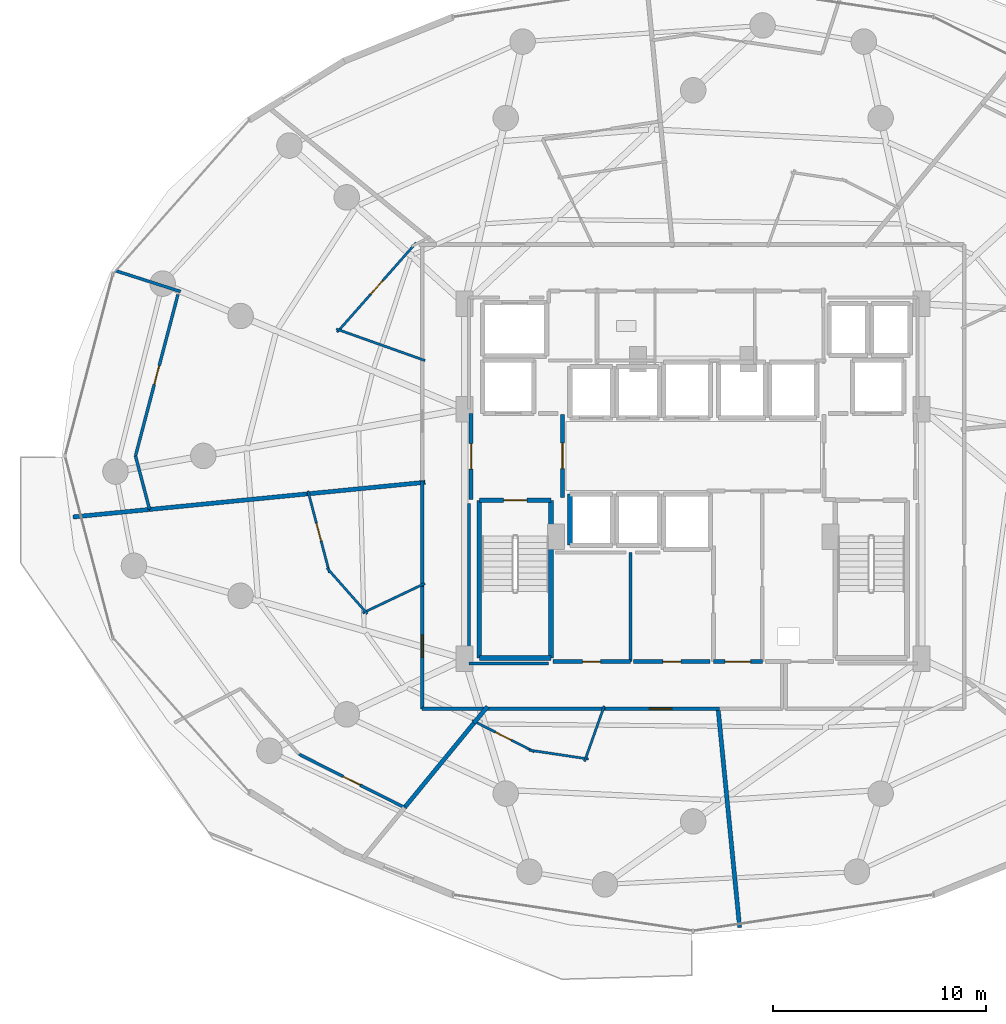
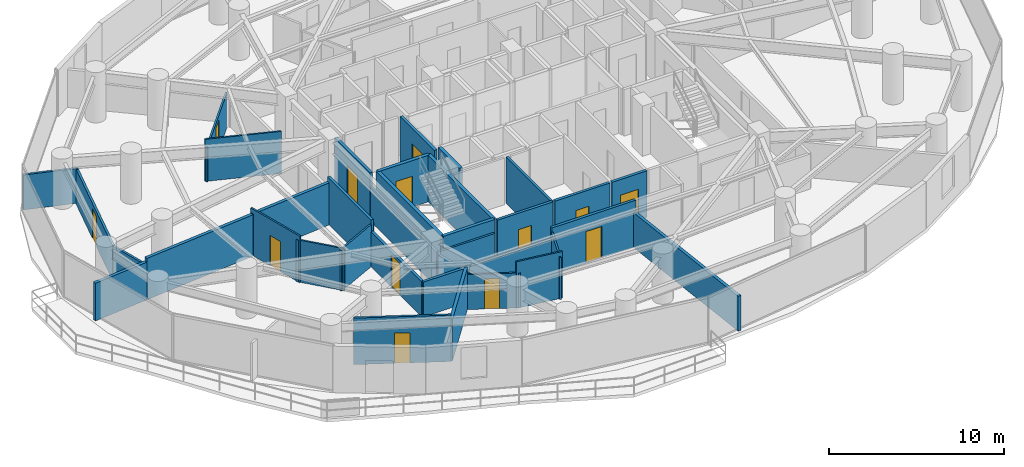
# One storey, part 23 of 30: 36 walls, 13 doors, 13 openings.
"""IFC4 building model written with IfcOpenShell, lengths in metres."""

import ifcopenshell
import ifcopenshell.guid

model = None  # the IFC model being written
_history = None  # IfcOwnerHistory: only IFC2X3 demands one
_inside = {}  # id of a spatial element -> (the spatial element, [elements in it])
_under = {}  # id of a project, library or spatial element -> (it, [spatial elements below it])
_declared = {}  # id of a project -> (the project, [libraries it declares])
_typed = {}  # id of a type object -> (the type object, [elements of that type])
_made_of = {}  # id of a material, layer set ... -> (it, [elements and type objects made of it])


def new_model(schema):
    """Start an empty IFC model of exactly this schema.

    Asked for "IFC4X3", IfcOpenShell would pick the latest addendum, in which some entities
    have other attributes; the version numbers below select the first issue.
    IFC2X3 requires an IfcOwnerHistory on every rooted entity: one is made here for all.
    """
    global model, _history
    if schema == "IFC4X3":
        model = ifcopenshell.file(schema_version=(4, 3, 0, 0))
    else:
        model = ifcopenshell.file(schema=schema)
    _inside.clear()
    _under.clear()
    _declared.clear()
    _typed.clear()
    _made_of.clear()
    _history = None
    if model.schema == "IFC2X3":
        org = make("IfcOrganization", Name="unknown")
        user = make(
            "IfcPersonAndOrganization",
            ThePerson=make("IfcPerson", FamilyName="unknown"),
            TheOrganization=org,
        )
        app = make(
            "IfcApplication",
            ApplicationDeveloper=org,
            Version="unknown",
            ApplicationFullName="unknown",
            ApplicationIdentifier="unknown",
        )
        _history = make(
            "IfcOwnerHistory",
            OwningUser=user,
            OwningApplication=app,
            ChangeAction="ADDED",
            CreationDate=0,
        )
    return model


def make(cls, **values):
    """One entity of the class cls with the attributes given. An attribute that is None is left unset."""
    return model.create_entity(
        cls, **{name: value for name, value in values.items() if value is not None}
    )


def rooted(cls, **values):
    """An entity with a GlobalId (a new one), such as an element, a storey or a relation."""
    return make(cls, GlobalId=ifcopenshell.guid.new(), OwnerHistory=_history, **values)


def si_unit(unit_type, name, prefix=None):
    """IfcSIUnit, for example si_unit("LENGTHUNIT", "METRE", prefix="MILLI")."""
    return make("IfcSIUnit", UnitType=unit_type, Prefix=prefix, Name=name)


def assignment(units):
    """IfcUnitAssignment: the units of a project."""
    return None if units is None else make("IfcUnitAssignment", Units=units)


def point(xyz):
    """IfcCartesianPoint."""
    return None if xyz is None else make("IfcCartesianPoint", Coordinates=xyz)


def direction(xyz):
    """IfcDirection."""
    return None if xyz is None else make("IfcDirection", DirectionRatios=xyz)


def frame(location, z_axis=None, x_axis=None):
    """IfcAxis2Placement3D, a coordinate frame: its origin and axes. An axis left out is left unset."""
    return make(
        "IfcAxis2Placement3D",
        Location=point(location),
        Axis=direction(z_axis),
        RefDirection=direction(x_axis),
    )


def frame_2d(location, x_axis=None):
    """IfcAxis2Placement2D, a coordinate frame in the plane: its origin and x axis."""
    return make(
        "IfcAxis2Placement2D", Location=point(location), RefDirection=direction(x_axis)
    )


def origin():
    """The frame at (0, 0, 0) with its axes left unset."""
    return frame((0.0, 0.0, 0.0))


def place(relative_to, where):
    """IfcLocalPlacement: puts the frame where relative to a parent placement (None: the world)."""
    return make(
        "IfcLocalPlacement", PlacementRelTo=relative_to, RelativePlacement=where
    )


def context(
    kind, dimensions, precision=None, world=None, true_north=None, identifier=None
):
    """IfcGeometricRepresentationContext, for example the 3D "Model" context."""
    return make(
        "IfcGeometricRepresentationContext",
        ContextIdentifier=identifier,
        ContextType=kind,
        CoordinateSpaceDimension=dimensions,
        Precision=precision,
        WorldCoordinateSystem=world,
        TrueNorth=true_north,
    )


def subcontext(parent, identifier, kind, view, scale=None):
    """IfcGeometricRepresentationSubContext, for example "Body" below "Model"."""
    return make(
        "IfcGeometricRepresentationSubContext",
        ContextIdentifier=identifier,
        ContextType=kind,
        ParentContext=parent,
        TargetScale=scale,
        TargetView=view,
    )


def project(units=None, contexts=None):
    """IfcProject with its units and contexts."""
    return rooted(
        "IfcProject",
        Name="project",
        RepresentationContexts=contexts,
        UnitsInContext=assignment(units),
    )


def spatial(cls, under=None, at=None, **own):
    """A site, building, storey or space (cls), placed at a placement, below another one or the project."""
    s = rooted(cls, ObjectPlacement=at, **own)
    if under is not None:
        _under.setdefault(under.id(), (under, []))[1].append(s)
    return s


def profile(cls, at=None, kind="AREA", **sizes):
    """A parametric profile (cls). Its sizes go by their IFC names, for example OverallWidth=200.0."""
    return make(cls, ProfileType=kind, Position=at, **sizes)


def rectangle(**sizes):
    """IfcRectangleProfileDef."""
    return profile("IfcRectangleProfileDef", **sizes)


def extrude(swept, where, along, depth):
    """IfcExtrudedAreaSolid: the profile swept, set in the frame where, extruded along a direction by depth."""
    return make(
        "IfcExtrudedAreaSolid",
        SweptArea=swept,
        Position=where,
        ExtrudedDirection=direction(along),
        Depth=depth,
    )


def shape(context_of_items, identifier, shape_type, items):
    """IfcShapeRepresentation: the items that make up one representation, for example the "Body"."""
    return make(
        "IfcShapeRepresentation",
        ContextOfItems=context_of_items,
        RepresentationIdentifier=identifier,
        RepresentationType=shape_type,
        Items=items,
    )


def material(Name=None, Category=None):
    """IfcMaterial."""
    return make("IfcMaterial", Name=Name, Category=Category)


def layer(
    of_material, thickness, ventilated=None, Name=None, Category=None, Priority=None
):
    """IfcMaterialLayer: one layer of a wall or slab, of a material (None: an air gap)."""
    return make(
        "IfcMaterialLayer",
        Material=of_material,
        LayerThickness=thickness,
        IsVentilated=ventilated,
        Name=Name,
        Category=Category,
        Priority=Priority,
    )


def layer_set(layers, Name=None):
    """IfcMaterialLayerSet."""
    return make("IfcMaterialLayerSet", MaterialLayers=layers, LayerSetName=Name)


def made_of(thing, what):
    """Note that an element or type object is made of a material, layer set ...; save() writes the relation."""
    if what is not None:
        _made_of.setdefault(what.id(), (what, []))[1].append(thing)
    return thing


def type_object(cls, material=None, **own):
    """A type object (cls), such as IfcWallType, which elements share."""
    return made_of(rooted(cls, **own), material)


def element(
    cls,
    number,
    at=None,
    inside=None,
    cuts=None,
    type_object=None,
    material=None,
    context=None,
    identifier="Body",
    shape_type=None,
    held_by="IfcProductDefinitionShape",
    body=None,
    shapes=None,
    **own,
):
    """One element of the class cls, such as IfcWall. Its Tag is "e" and its number.

    at: its placement. inside: the storey or other place that contains it. cuts: it is an
    opening in that element (IfcRelVoidsElement). A single representation is given by context,
    identifier, shape_type and body (its items); several are given by shapes. held_by: the class
    of the entity that holds the representations. save() writes the other relations.
    """
    e = rooted(cls, Tag="e%d" % number, ObjectPlacement=at, **own)
    if body is not None:
        shapes = [shape(context, identifier, shape_type, body)]
    if shapes is not None:
        e.Representation = make(held_by, Representations=shapes)
    if inside is not None:
        _inside.setdefault(inside.id(), (inside, []))[1].append(e)
    if cuts is not None:
        rooted(
            "IfcRelVoidsElement", RelatingBuildingElement=cuts, RelatedOpeningElement=e
        )
    if type_object is not None:
        _typed.setdefault(type_object.id(), (type_object, []))[1].append(e)
    return made_of(e, material)


def fill(opening, filler):
    """IfcRelFillsElement: the door or window that sits in an opening."""
    return rooted(
        "IfcRelFillsElement",
        RelatingOpeningElement=opening,
        RelatedBuildingElement=filler,
    )


def aggregate(whole, parts):
    """IfcRelAggregates: a whole, such as a stair, and the parts it consists of."""
    return rooted("IfcRelAggregates", RelatingObject=whole, RelatedObjects=parts)


def save(model, path):
    """Write the relations noted so far, then the file.

    IfcRelAggregates (storeys below a building ...), IfcRelContainedInSpatialStructure (elements
    in a storey), IfcRelDefinesByType, IfcRelAssociatesMaterial and IfcRelDeclares: one each for
    every whole, place, type object, material and project.
    """
    for whole, parts in _under.values():
        aggregate(whole, parts)
    for where, things in _inside.values():
        rooted(
            "IfcRelContainedInSpatialStructure",
            RelatedElements=things,
            RelatingStructure=where,
        )
    for kind, things in _typed.values():
        rooted("IfcRelDefinesByType", RelatedObjects=things, RelatingType=kind)
    for what, things in _made_of.values():
        rooted("IfcRelAssociatesMaterial", RelatedObjects=things, RelatingMaterial=what)
    for by, libraries in _declared.values():
        rooted("IfcRelDeclares", RelatingContext=by, RelatedDefinitions=libraries)
    model.write(path)


model = new_model("IFC4")

# Units and contexts
model_context = context("Model", 3, precision=1e-05, world=origin(), true_north=direction((0.0, 1.0)))
body_context = subcontext(model_context, "Body", "Model", "MODEL_VIEW")
ifc_project = project(units=[si_unit("LENGTHUNIT", "METRE"), si_unit("AREAUNIT", "SQUARE_METRE"), si_unit("VOLUMEUNIT", "CUBIC_METRE"), si_unit("PLANEANGLEUNIT", "RADIAN"), si_unit("MASSUNIT", "GRAM", prefix="KILO")], contexts=[model_context])

# Site, building, storey
site_placement = place(None, origin())
site = spatial("IfcSite", under=ifc_project, at=site_placement, CompositionType="ELEMENT")
building_placement = place(site_placement, origin())
building = spatial("IfcBuilding", under=site, at=building_placement, Name="Vorneva Point Tower", CompositionType="ELEMENT")
storey_placement = place(building_placement, frame((0.0, 0.0, 55.5)))
storey = spatial("IfcBuildingStorey", under=building, at=storey_placement, Name="L14", CompositionType="ELEMENT", Elevation=55.5)

# Wall
ifc_material_1 = material(Name="Fire-rated acoustic gypsum stud partition", Category="gypsum")
ifc_layer_1 = layer(ifc_material_1, 0.110107421875)
ifc_layer_set_1 = layer_set([ifc_layer_1], Name="Fire-rated acoustic gypsum stud partition")
wall_type_1 = type_object("IfcWallType", Name="WL-PART-110", PredefinedType="PARTITIONING", material=ifc_layer_set_1)
wall_1_placement = place(storey_placement, frame((25.3818359375, 30.487060546875, 0.0), z_axis=(0.0, 0.0, 1.0), x_axis=(-0.942199995763, 0.335050993111, 0.0)))
element("IfcWall", 1, at=wall_1_placement, inside=storey, type_object=wall_type_1, Name="L14 Interior Partition 072", PredefinedType="PARTITIONING", context=body_context, shape_type="SweptSolid", body=[
    extrude(rectangle(XDim=4.428955078125, YDim=0.110107421875, at=frame_2d((2.21435546875, 0.0))), origin(), (0.0, 0.0, 1.0), 2.928955078125),
])

# Wall, opening, door
wall_2_placement = place(storey_placement, frame((21.248291015625, 31.819091796875, 0.0), z_axis=(0.0, 0.0, 1.0), x_axis=(0.662135950736, 0.749383735307, 0.0)))
wall_2 = element("IfcWall", 2, at=wall_2_placement, inside=storey, type_object=wall_type_1, Name="L14 Interior Partition 073", PredefinedType="PARTITIONING", context=body_context, shape_type="SweptSolid", body=[
    extrude(rectangle(XDim=5.618896484375, YDim=0.110107421875, at=frame_2d((2.8095703125, 0.0))), origin(), (0.0, 0.0, 1.0), 2.431884765625),
])
opening_1_placement = place(wall_2_placement, frame((2.384521484375, 0.0, 0.0)))
opening_1 = element("IfcOpeningElement", 3, at=opening_1_placement, cuts=wall_2, Name="Opening ID-02", PredefinedType="OPENING", context=body_context, shape_type="SweptSolid", body=[
    extrude(rectangle(XDim=0.85009765625, YDim=2.10009765625, at=frame_2d((0.425048828125, 1.050048828125))), frame((0.0, 0.06982421875, 0.0), z_axis=(0.0, -1.0, 0.0), x_axis=(1.0, 0.0, 0.0)), (0.0, 0.0, 1.0), 0.139892578125),
])
ifc_material_2 = material(Name="Engineered oak fire-rated door leaf", Category="wood")
door_type_1 = type_object("IfcDoorType", Name="DR-BATH-850", OperationType="NOTDEFINED", PredefinedType="DOOR", material=ifc_material_2)
door_1_placement = place(opening_1_placement, origin())
door_1 = element("IfcDoor", 4, at=door_1_placement, inside=storey, type_object=door_type_1, Name="L14 Door Junior Suite L14-04 / En-Suite Bathroom L14-04", OperationType="SINGLE_SWING_RIGHT", OverallHeight=2.10009765625, OverallWidth=0.85009765625, PredefinedType="DOOR", context=body_context, shape_type="SweptSolid", body=[
    extrude(rectangle(XDim=0.85009765625, YDim=2.10009765625, at=frame_2d((0.425048828125, 1.050048828125))), frame((0.0, 0.02490234375, 0.0), z_axis=(0.0, -1.0, 0.0), x_axis=(1.0, 0.0, 0.0)), (0.0, 0.0, 1.0), 0.050048828125),
])
fill(opening_1, door_1)

# Walls
wall_3_placement = place(storey_placement, frame((25.37646484375, 19.9990234375, 0.0), z_axis=(0.0, 0.0, 1.0), x_axis=(-0.903186785932, -0.429247748647, 0.0)))
element("IfcWall", 5, at=wall_3_placement, inside=storey, type_object=wall_type_1, Name="L14 Interior Partition 081", PredefinedType="PARTITIONING", context=body_context, shape_type="SweptSolid", body=[
    extrude(rectangle(XDim=3.23388671875, YDim=0.110107421875, at=frame_2d((1.616943359375, 0.0))), origin(), (0.0, 0.0, 1.0), 2.928955078125),
])
wall_4_placement = place(storey_placement, frame((22.6748046875, 18.566162109375, 0.0), z_axis=(0.0, 0.0, 1.0), x_axis=(-0.661981720099, 0.749519981224, 0.0)))
element("IfcWall", 6, at=wall_4_placement, inside=storey, type_object=wall_type_1, Name="L14 Interior Partition 082", PredefinedType="PARTITIONING", context=body_context, shape_type="SweptSolid", body=[
    extrude(rectangle(XDim=2.89208984375, YDim=0.110107421875, at=frame_2d((1.446044921875, 0.0))), origin(), (0.0, 0.0, 1.0), 2.928955078125),
])

# Wall, opening, door
wall_5_placement = place(storey_placement, frame((20.888671875, 20.49365234375, 0.0), z_axis=(0.0, 0.0, 1.0), x_axis=(-0.254405980461, 0.967097511684, 0.0)))
wall_5 = element("IfcWall", 7, at=wall_5_placement, inside=storey, type_object=wall_type_1, Name="L14 Interior Partition 083", PredefinedType="PARTITIONING", context=body_context, shape_type="SweptSolid", body=[
    extrude(rectangle(XDim=3.9912109375, YDim=0.110107421875, at=frame_2d((1.99560546875, 0.0))), origin(), (0.0, 0.0, 1.0), 3.239990234375),
])
opening_2_placement = place(wall_5_placement, frame((1.570556640625, 0.0, 0.0)))
opening_2 = element("IfcOpeningElement", 8, at=opening_2_placement, cuts=wall_5, Name="Opening ID-02", PredefinedType="OPENING", context=body_context, shape_type="SweptSolid", body=[
    extrude(rectangle(XDim=0.85009765625, YDim=2.10009765625, at=frame_2d((0.425048828125, 1.050048828125))), frame((0.0, 0.06982421875, 0.0), z_axis=(0.0, -1.0, 0.0), x_axis=(1.0, 0.0, 0.0)), (0.0, 0.0, 1.0), 0.139892578125),
])
door_2_placement = place(opening_2_placement, origin())
door_2 = element("IfcDoor", 9, at=door_2_placement, inside=storey, type_object=door_type_1, Name="L14 Door Executive Suite L14-05 / En-Suite Bathroom L14-05", OperationType="SINGLE_SWING_RIGHT", OverallHeight=2.10009765625, OverallWidth=0.85009765625, PredefinedType="DOOR", context=body_context, shape_type="SweptSolid", body=[
    extrude(rectangle(XDim=0.85009765625, YDim=2.10009765625, at=frame_2d((0.425048828125, 1.050048828125))), frame((0.0, 0.02490234375, 0.0), z_axis=(0.0, -1.0, 0.0), x_axis=(1.0, 0.0, 0.0)), (0.0, 0.0, 1.0), 0.050048828125),
])
fill(opening_2, door_2)

# Walls
wall_6_placement = place(storey_placement, frame((33.81494140625, 14.23193359375, 0.0), z_axis=(0.0, 0.0, 1.0), x_axis=(-0.334786713612, -0.942293933117, 0.0)))
element("IfcWall", 10, at=wall_6_placement, inside=storey, type_object=wall_type_1, Name="L14 Interior Partition 090", PredefinedType="PARTITIONING", context=body_context, shape_type="SweptSolid", body=[
    extrude(rectangle(XDim=2.765380859375, YDim=0.110107421875, at=frame_2d((1.3828125, 0.0))), origin(), (0.0, 0.0, 1.0), 2.928955078125),
])
wall_7_placement = place(storey_placement, frame((33.074462890625, 11.7373046875, 0.0), z_axis=(0.0, 0.0, 1.0), x_axis=(-0.988902866222, 0.148563525729, 0.0)))
element("IfcWall", 11, at=wall_7_placement, inside=storey, type_object=wall_type_1, Name="L14 Interior Partition 091", PredefinedType="PARTITIONING", context=body_context, shape_type="SweptSolid", body=[
    extrude(rectangle(XDim=2.83642578125, YDim=0.110107421875, at=frame_2d((1.418212890625, 0.0))), origin(), (0.0, 0.0, 1.0), 3.239990234375),
])

# Wall, opening, door
wall_8_placement = place(storey_placement, frame((30.532958984375, 12.07470703125, 0.0), z_axis=(0.0, 0.0, 1.0), x_axis=(-0.892451870397, 0.451142614952, 0.0)))
wall_8 = element("IfcWall", 12, at=wall_8_placement, inside=storey, type_object=wall_type_1, Name="L14 Interior Partition 092", PredefinedType="PARTITIONING", context=body_context, shape_type="SweptSolid", body=[
    extrude(rectangle(XDim=3.27734375, YDim=0.110107421875, at=frame_2d((1.638671875, 0.0))), origin(), (0.0, 0.0, 1.0), 2.431884765625),
])
opening_3_placement = place(wall_8_placement, frame((1.213623046875, 0.0, 0.0)))
opening_3 = element("IfcOpeningElement", 13, at=opening_3_placement, cuts=wall_8, Name="Opening ID-02", PredefinedType="OPENING", context=body_context, shape_type="SweptSolid", body=[
    extrude(rectangle(XDim=0.85009765625, YDim=2.10009765625, at=frame_2d((0.425048828125, 1.050048828125))), frame((0.0, 0.06982421875, 0.0), z_axis=(0.0, -1.0, 0.0), x_axis=(1.0, 0.0, 0.0)), (0.0, 0.0, 1.0), 0.139892578125),
])
door_3_placement = place(opening_3_placement, origin())
door_3 = element("IfcDoor", 14, at=door_3_placement, inside=storey, type_object=door_type_1, Name="L14 Door Corner Suite L14-06 / En-Suite Bathroom L14-06", OperationType="SINGLE_SWING_RIGHT", OverallHeight=2.10009765625, OverallWidth=0.85009765625, PredefinedType="DOOR", context=body_context, shape_type="SweptSolid", body=[
    extrude(rectangle(XDim=0.85009765625, YDim=2.10009765625, at=frame_2d((0.425048828125, 1.050048828125))), frame((0.0, 0.02490234375, 0.0), z_axis=(0.0, -1.0, 0.0), x_axis=(1.0, 0.0, 0.0)), (0.0, 0.0, 1.0), 0.050048828125),
])
fill(opening_3, door_3)

# Wall
ifc_layer_2 = layer(ifc_material_1, 0.139892578125)
ifc_layer_set_2 = layer_set([ifc_layer_2], Name="Fire-rated acoustic gypsum stud partition")
wall_type_2 = type_object("IfcWallType", Name="WL-PART-140", PredefinedType="PARTITIONING", material=ifc_layer_set_2)
wall_9_placement = place(storey_placement, frame((35.050048828125, 16.320068359375, 0.0), z_axis=(0.0, 0.0, 1.0), x_axis=(0.0, 1.0, 0.0)))
element("IfcWall", 15, at=wall_9_placement, inside=storey, type_object=wall_type_2, Name="L14 Interior Partition 021", PredefinedType="PARTITIONING", context=body_context, shape_type="SweptSolid", body=[
    extrude(rectangle(XDim=5.1298828125, YDim=0.139892578125, at=frame_2d((2.56494140625, 0.0))), origin(), (0.0, 0.0, 1.0), 3.239990234375),
])

# Wall, opening, door
wall_10_placement = place(storey_placement, frame((13.757080078125, 33.593994140625, 0.0), z_axis=(0.0, 0.0, 1.0), x_axis=(-0.254332600041, -0.96711681226, 0.0)))
wall_10 = element("IfcWall", 16, at=wall_10_placement, inside=storey, type_object=wall_type_2, Name="L14 Interior Partition 075", PredefinedType="PARTITIONING", context=body_context, shape_type="SweptSolid", body=[
    extrude(rectangle(XDim=7.852294921875, YDim=0.139892578125, at=frame_2d((3.92626953125, 0.0))), origin(), (0.0, 0.0, 1.0), 2.431884765625),
])
opening_4_placement = place(wall_10_placement, frame((3.47607421875, 0.0, 0.0)))
opening_4 = element("IfcOpeningElement", 17, at=opening_4_placement, cuts=wall_10, Name="Opening ID-01", PredefinedType="OPENING", context=body_context, shape_type="SweptSolid", body=[
    extrude(rectangle(XDim=0.89990234375, YDim=2.10009765625, at=frame_2d((0.449951171875, 1.050048828125))), frame((0.0, 0.0849609375, 0.0), z_axis=(0.0, -1.0, 0.0), x_axis=(1.0, 0.0, 0.0)), (0.0, 0.0, 1.0), 0.169677734375),
])
door_type_2 = type_object("IfcDoorType", Name="DR-ROOM-900", OperationType="NOTDEFINED", PredefinedType="DOOR", material=ifc_material_2)
door_4_placement = place(opening_4_placement, origin())
door_4 = element("IfcDoor", 18, at=door_4_placement, inside=storey, type_object=door_type_2, Name="L14 Door Junior Suite L14-04 / Suite Sitting Study L14-04", OperationType="SINGLE_SWING_LEFT", OverallHeight=2.10009765625, OverallWidth=0.89990234375, PredefinedType="DOOR", context=body_context, shape_type="SweptSolid", body=[
    extrude(rectangle(XDim=0.89990234375, YDim=2.10009765625, at=frame_2d((0.449951171875, 1.050048828125))), frame((0.0, 0.02490234375, 0.0), z_axis=(0.0, -1.0, 0.0), x_axis=(1.0, 0.0, 0.0)), (0.0, 0.0, 1.0), 0.050048828125),
])
fill(opening_4, door_4)

# Walls
wall_11_placement = place(storey_placement, frame((11.760009765625, 26.0, 0.0), z_axis=(0.0, 0.0, 1.0), x_axis=(0.254465628682, -0.967081818576, 0.0)))
element("IfcWall", 19, at=wall_11_placement, inside=storey, type_object=wall_type_2, Name="L14 Interior Partition 076", PredefinedType="PARTITIONING", context=body_context, shape_type="SweptSolid", body=[
    extrude(rectangle(XDim=2.605712890625, YDim=0.139892578125, at=frame_2d((1.302734375, 0.0))), origin(), (0.0, 0.0, 1.0), 2.431884765625),
])
wall_12_placement = place(storey_placement, frame((10.818115234375, 34.714111328125, 0.0), z_axis=(0.0, 0.0, 1.0), x_axis=(0.952294454461, -0.305180720236, 0.0)))
element("IfcWall", 20, at=wall_12_placement, inside=storey, type_object=wall_type_2, Name="L14 Interior Partition 077", PredefinedType="PARTITIONING", context=body_context, shape_type="SweptSolid", body=[
    extrude(rectangle(XDim=3.215087890625, YDim=0.139892578125, at=frame_2d((1.607421875, 0.0))), origin(), (0.0, 0.0, 1.0), 2.431884765625),
])

# Wall, opening, door
wall_13_placement = place(storey_placement, frame((19.446044921875, 11.968017578125, 0.0), z_axis=(0.0, 0.0, 1.0), x_axis=(0.892518178955, -0.451011419184, 0.0)))
wall_13 = element("IfcWall", 21, at=wall_13_placement, inside=storey, type_object=wall_type_2, Name="L14 Interior Partition 086", PredefinedType="PARTITIONING", context=body_context, shape_type="SweptSolid", body=[
    extrude(rectangle(XDim=5.573974609375, YDim=0.139892578125, at=frame_2d((2.787109375, 0.0))), origin(), (0.0, 0.0, 1.0), 3.239990234375),
])
opening_5_placement = place(wall_13_placement, frame((2.337158203125, 0.0, 0.0)))
opening_5 = element("IfcOpeningElement", 22, at=opening_5_placement, cuts=wall_13, Name="Opening ID-01", PredefinedType="OPENING", context=body_context, shape_type="SweptSolid", body=[
    extrude(rectangle(XDim=0.89990234375, YDim=2.10009765625, at=frame_2d((0.449951171875, 1.050048828125))), frame((0.0, 0.0849609375, 0.0), z_axis=(0.0, -1.0, 0.0), x_axis=(1.0, 0.0, 0.0)), (0.0, 0.0, 1.0), 0.169677734375),
])
door_5_placement = place(opening_5_placement, origin())
door_5 = element("IfcDoor", 23, at=door_5_placement, inside=storey, type_object=door_type_2, Name="L14 Door Executive Suite L14-05 / Suite Sitting Study L14-05", OperationType="SINGLE_SWING_LEFT", OverallHeight=2.10009765625, OverallWidth=0.89990234375, PredefinedType="DOOR", context=body_context, shape_type="SweptSolid", body=[
    extrude(rectangle(XDim=0.89990234375, YDim=2.10009765625, at=frame_2d((0.449951171875, 1.050048828125))), frame((0.0, 0.02490234375, 0.0), z_axis=(0.0, -1.0, 0.0), x_axis=(1.0, 0.0, 0.0)), (0.0, 0.0, 1.0), 0.050048828125),
])
fill(opening_5, door_5)

# Walls
wall_14_placement = place(storey_placement, frame((31.195068359375, 16.239990234375, 0.0), z_axis=(0.0, 0.0, 1.0), x_axis=(-1.0, 0.0, 0.0)))
element("IfcWall", 24, at=wall_14_placement, inside=storey, type_object=wall_type_2, Name="L14 Interior Closure Partition 108", PredefinedType="PARTITIONING", context=body_context, shape_type="SweptSolid", body=[
    extrude(rectangle(XDim=3.7451171875, YDim=0.139892578125, at=frame_2d((1.87255859375, 0.0))), origin(), (0.0, 0.0, 1.0), 2.431884765625),
])
wall_15_placement = place(storey_placement, frame((27.449951171875, 16.239990234375, 0.0), z_axis=(0.0, 0.0, 1.0), x_axis=(0.0, 1.0, 0.0)))
element("IfcWall", 25, at=wall_15_placement, inside=storey, type_object=wall_type_2, Name="L14 Interior Closure Partition 109", PredefinedType="PARTITIONING", context=body_context, shape_type="SweptSolid", body=[
    extrude(rectangle(XDim=7.513916015625, YDim=0.139892578125, at=frame_2d((3.7568359375, 0.0))), origin(), (0.0, 0.0, 1.0), 2.431884765625),
])

# Wall, opening, door
ifc_material_3 = material(Name="Autoclaved aerated concrete blockwork", Category="masonry")
ifc_layer_3 = layer(ifc_material_3, 0.179931640625)
ifc_layer_set_3 = layer_set([ifc_layer_3], Name="Autoclaved aerated concrete blockwork")
wall_type_3 = type_object("IfcWallType", Name="WL-PART-180", PredefinedType="PARTITIONING", material=ifc_layer_set_3)
wall_16_placement = place(storey_placement, frame((31.85009765625, 24.044921875, 0.0), z_axis=(0.0, 0.0, 1.0), x_axis=(0.0, 1.0, 0.0)))
wall_16 = element("IfcWall", 26, at=wall_16_placement, inside=storey, type_object=wall_type_3, Name="L14 Interior Partition 001", PredefinedType="PARTITIONING", context=body_context, shape_type="SweptSolid", body=[
    extrude(rectangle(XDim=3.91015625, YDim=0.179931640625, at=frame_2d((1.955078125, 0.0))), origin(), (0.0, 0.0, 1.0), 3.239990234375),
])
opening_6_placement = place(wall_16_placement, frame((1.35498046875, 0.0, 0.0)))
opening_6 = element("IfcOpeningElement", 27, at=opening_6_placement, cuts=wall_16, Name="Opening FD-02", PredefinedType="OPENING", context=body_context, shape_type="SweptSolid", body=[
    extrude(rectangle(XDim=1.199951171875, YDim=2.14990234375, at=frame_2d((0.60009765625, 1.074951171875))), frame((0.0, 0.10498046875, 0.0), z_axis=(0.0, -1.0, 0.0), x_axis=(1.0, 0.0, 0.0)), (0.0, 0.0, 1.0), 0.209716796875),
])
ifc_material_4 = material(Name="Fire-rated powder-coated steel", Category="steel")
door_type_3 = type_object("IfcDoorType", Name="DR-FFL-1200", OperationType="NOTDEFINED", PredefinedType="DOOR", material=ifc_material_4)
door_6_placement = place(opening_6_placement, origin())
door_6 = element("IfcDoor", 28, at=door_6_placement, inside=storey, type_object=door_type_3, Name="L14 Door West Firefighting Lobby / Central Lift Lobby", OperationType="SINGLE_SWING_RIGHT", OverallHeight=2.14990234375, OverallWidth=1.199951171875, PredefinedType="DOOR", context=body_context, shape_type="SweptSolid", body=[
    extrude(rectangle(XDim=1.199951171875, YDim=2.14990234375, at=frame_2d((0.60009765625, 1.074951171875))), frame((0.0, 0.02490234375, 0.0), z_axis=(0.0, -1.0, 0.0), x_axis=(1.0, 0.0, 0.0)), (0.0, 0.0, 1.0), 0.050048828125),
])
fill(opening_6, door_6)

wall_17_placement = place(storey_placement, frame((27.550048828125, 28.0, 0.0), z_axis=(0.0, 0.0, 1.0), x_axis=(0.0, -1.0, 0.0)))
wall_17 = element("IfcWall", 29, at=wall_17_placement, inside=storey, type_object=wall_type_3, Name="L14 Interior Partition 002", PredefinedType="PARTITIONING", context=body_context, shape_type="SweptSolid", body=[
    extrude(rectangle(XDim=4.050048828125, YDim=0.179931640625, at=frame_2d((2.02490234375, 0.0))), origin(), (0.0, 0.0, 1.0), 3.239990234375),
])
opening_7_placement = place(wall_17_placement, frame((1.425048828125, 0.0, 0.0)))
opening_7 = element("IfcOpeningElement", 30, at=opening_7_placement, cuts=wall_17, Name="Opening FD-02", PredefinedType="OPENING", context=body_context, shape_type="SweptSolid", body=[
    extrude(rectangle(XDim=1.199951171875, YDim=2.14990234375, at=frame_2d((0.60009765625, 1.074951171875))), frame((0.0, 0.10498046875, 0.0), z_axis=(0.0, -1.0, 0.0), x_axis=(1.0, 0.0, 0.0)), (0.0, 0.0, 1.0), 0.209716796875),
])
door_7_placement = place(opening_7_placement, origin())
door_7 = element("IfcDoor", 31, at=door_7_placement, inside=storey, type_object=door_type_3, Name="L14 Door West Firefighting Lobby / L14 Circulation Corridor", OperationType="SINGLE_SWING_RIGHT", OverallHeight=2.14990234375, OverallWidth=1.199951171875, PredefinedType="DOOR", context=body_context, shape_type="SweptSolid", body=[
    extrude(rectangle(XDim=1.199951171875, YDim=2.14990234375, at=frame_2d((0.60009765625, 1.074951171875))), frame((0.0, 0.02490234375, 0.0), z_axis=(0.0, -1.0, 0.0), x_axis=(1.0, 0.0, 0.0)), (0.0, 0.0, 1.0), 0.050048828125),
])
fill(opening_7, door_7)

wall_18_placement = place(storey_placement, frame((38.949951171875, 16.320068359375, 0.0), z_axis=(0.0, 0.0, 1.0), x_axis=(1.0, 0.0, 0.0)))
wall_18 = element("IfcWall", 32, at=wall_18_placement, inside=storey, type_object=wall_type_3, Name="L14 Interior Partition 013", PredefinedType="PARTITIONING", context=body_context, shape_type="SweptSolid", body=[
    extrude(rectangle(XDim=2.300048828125, YDim=0.179931640625, at=frame_2d((1.14990234375, 0.0))), origin(), (0.0, 0.0, 1.0), 3.239990234375),
])
opening_8_placement = place(wall_18_placement, frame((0.550048828125, 0.0, 0.0)))
opening_8 = element("IfcOpeningElement", 33, at=opening_8_placement, cuts=wall_18, Name="Opening FD-02", PredefinedType="OPENING", context=body_context, shape_type="SweptSolid", body=[
    extrude(rectangle(XDim=1.199951171875, YDim=2.14990234375, at=frame_2d((0.60009765625, 1.074951171875))), frame((0.0, 0.10498046875, 0.0), z_axis=(0.0, -1.0, 0.0), x_axis=(1.0, 0.0, 0.0)), (0.0, 0.0, 1.0), 0.209716796875),
])
door_8_placement = place(opening_8_placement, origin())
door_8 = element("IfcDoor", 34, at=door_8_placement, inside=storey, type_object=door_type_3, Name="L14 Door Core Service Lobby / L14 Circulation Corridor", OperationType="SINGLE_SWING_LEFT", OverallHeight=2.14990234375, OverallWidth=1.199951171875, PredefinedType="DOOR", context=body_context, shape_type="SweptSolid", body=[
    extrude(rectangle(XDim=1.199951171875, YDim=2.14990234375, at=frame_2d((0.60009765625, 1.074951171875))), frame((0.0, 0.02490234375, 0.0), z_axis=(0.0, -1.0, 0.0), x_axis=(1.0, 0.0, 0.0)), (0.0, 0.0, 1.0), 0.050048828125),
])
fill(opening_8, door_8)

wall_19_placement = place(storey_placement, frame((31.39990234375, 16.320068359375, 0.0), z_axis=(0.0, 0.0, 1.0), x_axis=(1.0, 0.0, 0.0)))
wall_19 = element("IfcWall", 35, at=wall_19_placement, inside=storey, type_object=wall_type_3, Name="L14 Interior Partition 022", PredefinedType="PARTITIONING", context=body_context, shape_type="SweptSolid", body=[
    extrude(rectangle(XDim=3.650146484375, YDim=0.179931640625, at=frame_2d((1.8251953125, 0.0))), origin(), (0.0, 0.0, 1.0), 3.239990234375),
])
opening_9_placement = place(wall_19_placement, frame((1.39990234375, 0.0, 0.0)))
opening_9 = element("IfcOpeningElement", 36, at=opening_9_placement, cuts=wall_19, Name="Opening ID-02", PredefinedType="OPENING", context=body_context, shape_type="SweptSolid", body=[
    extrude(rectangle(XDim=0.85009765625, YDim=2.10009765625, at=frame_2d((0.425048828125, 1.050048828125))), frame((0.0, 0.10498046875, 0.0), z_axis=(0.0, -1.0, 0.0), x_axis=(1.0, 0.0, 0.0)), (0.0, 0.0, 1.0), 0.209716796875),
])
door_9_placement = place(opening_9_placement, origin())
door_9 = element("IfcDoor", 37, at=door_9_placement, inside=storey, type_object=door_type_1, Name="L14 Door Housekeeping Room / L14 Circulation Corridor", OperationType="SINGLE_SWING_RIGHT", OverallHeight=2.10009765625, OverallWidth=0.85009765625, PredefinedType="DOOR", context=body_context, shape_type="SweptSolid", body=[
    extrude(rectangle(XDim=0.85009765625, YDim=2.10009765625, at=frame_2d((0.425048828125, 1.050048828125))), frame((0.0, 0.02490234375, 0.0), z_axis=(0.0, -1.0, 0.0), x_axis=(1.0, 0.0, 0.0)), (0.0, 0.0, 1.0), 0.050048828125),
])
fill(opening_9, door_9)

wall_20_placement = place(storey_placement, frame((35.199951171875, 16.320068359375, 0.0), z_axis=(0.0, 0.0, 1.0), x_axis=(1.0, 0.0, 0.0)))
wall_20 = element("IfcWall", 38, at=wall_20_placement, inside=storey, type_object=wall_type_3, Name="L14 Interior Partition 023", PredefinedType="PARTITIONING", context=body_context, shape_type="SweptSolid", body=[
    extrude(rectangle(XDim=3.60009765625, YDim=0.179931640625, at=frame_2d((1.800048828125, 0.0))), origin(), (0.0, 0.0, 1.0), 3.239990234375),
])
opening_10_placement = place(wall_20_placement, frame((1.375, 0.0, 0.0)))
opening_10 = element("IfcOpeningElement", 39, at=opening_10_placement, cuts=wall_20, Name="Opening ID-02", PredefinedType="OPENING", context=body_context, shape_type="SweptSolid", body=[
    extrude(rectangle(XDim=0.85009765625, YDim=2.10009765625, at=frame_2d((0.425048828125, 1.050048828125))), frame((0.0, 0.10498046875, 0.0), z_axis=(0.0, -1.0, 0.0), x_axis=(1.0, 0.0, 0.0)), (0.0, 0.0, 1.0), 0.209716796875),
])
door_10_placement = place(opening_10_placement, origin())
door_10 = element("IfcDoor", 40, at=door_10_placement, inside=storey, type_object=door_type_1, Name="L14 Door Linen Store / L14 Circulation Corridor", OperationType="SINGLE_SWING_LEFT", OverallHeight=2.10009765625, OverallWidth=0.85009765625, PredefinedType="DOOR", context=body_context, shape_type="SweptSolid", body=[
    extrude(rectangle(XDim=0.85009765625, YDim=2.10009765625, at=frame_2d((0.425048828125, 1.050048828125))), frame((0.0, 0.02490234375, 0.0), z_axis=(0.0, -1.0, 0.0), x_axis=(1.0, 0.0, 0.0)), (0.0, 0.0, 1.0), 0.050048828125),
])
fill(opening_10, door_10)

wall_21_placement = place(storey_placement, frame((25.25, 19.9990234375, 0.0), z_axis=(0.0, 0.0, 1.0), x_axis=(0.0, -1.0, 0.0)))
wall_21 = element("IfcWall", 41, at=wall_21_placement, inside=storey, type_object=wall_type_3, Name="L14 Interior Partition 034", PredefinedType="PARTITIONING", context=body_context, shape_type="SweptSolid", body=[
    extrude(rectangle(XDim=5.89892578125, YDim=0.179931640625, at=frame_2d((2.949462890625, 0.0))), origin(), (0.0, 0.0, 1.0), 2.431884765625),
])
opening_11_placement = place(wall_21_placement, frame((2.424560546875, 0.0, 0.0)))
opening_11 = element("IfcOpeningElement", 42, at=opening_11_placement, cuts=wall_21, Name="Opening UD-02", PredefinedType="OPENING", context=body_context, shape_type="SweptSolid", body=[
    extrude(rectangle(XDim=1.050048828125, YDim=2.199951171875, at=frame_2d((0.52490234375, 1.10009765625))), frame((0.0, 0.10498046875, 0.0), z_axis=(0.0, -1.0, 0.0), x_axis=(1.0, 0.0, 0.0)), (0.0, 0.0, 1.0), 0.209716796875),
])
door_type_4 = type_object("IfcDoorType", Name="DR-SUITE-1050", OperationType="NOTDEFINED", PredefinedType="DOOR", material=ifc_material_2)
door_11_placement = place(opening_11_placement, origin())
door_11 = element("IfcDoor", 43, at=door_11_placement, inside=storey, type_object=door_type_4, Name="L14 Door L14 Circulation Corridor / Executive Suite L14-05", OperationType="SINGLE_SWING_RIGHT", OverallHeight=2.199951171875, OverallWidth=1.050048828125, PredefinedType="DOOR", context=body_context, shape_type="SweptSolid", body=[
    extrude(rectangle(XDim=1.050048828125, YDim=2.199951171875, at=frame_2d((0.52490234375, 1.10009765625))), frame((0.0, 0.02490234375, 0.0), z_axis=(0.0, -1.0, 0.0), x_axis=(1.0, 0.0, 0.0)), (0.0, 0.0, 1.0), 0.050048828125),
])
fill(opening_11, door_11)

# Walls
wall_22_placement = place(storey_placement, frame((25.25, 14.10009765625, 0.0), z_axis=(0.0, 0.0, 1.0), x_axis=(1.0, 0.0, 0.0)))
element("IfcWall", 44, at=wall_22_placement, inside=storey, type_object=wall_type_3, Name="L14 Interior Partition 035", PredefinedType="PARTITIONING", context=body_context, shape_type="SweptSolid", body=[
    extrude(rectangle(XDim=3.0439453125, YDim=0.179931640625, at=frame_2d((1.52197265625, 0.0))), origin(), (0.0, 0.0, 1.0), 2.431884765625),
])
wall_23_placement = place(storey_placement, frame((25.25, 24.823974609375, 0.0), z_axis=(0.0, 0.0, 1.0), x_axis=(0.0, -1.0, 0.0)))
element("IfcWall", 45, at=wall_23_placement, inside=storey, type_object=wall_type_3, Name="L14 Interior Partition 036", PredefinedType="PARTITIONING", context=body_context, shape_type="SweptSolid", body=[
    extrude(rectangle(XDim=4.965087890625, YDim=0.179931640625, at=frame_2d((2.482421875, 0.0))), origin(), (0.0, 0.0, 1.0), 3.239990234375),
])

# Wall, opening, door
wall_24_placement = place(storey_placement, frame((33.7041015625, 14.10009765625, 0.0), z_axis=(0.0, 0.0, 1.0), x_axis=(1.0, 0.0, 0.0)))
wall_24 = element("IfcWall", 46, at=wall_24_placement, inside=storey, type_object=wall_type_3, Name="L14 Interior Partition 037", PredefinedType="PARTITIONING", context=body_context, shape_type="SweptSolid", body=[
    extrude(rectangle(XDim=5.52783203125, YDim=0.179931640625, at=frame_2d((2.763916015625, 0.0))), origin(), (0.0, 0.0, 1.0), 3.239990234375),
])
opening_12_placement = place(wall_24_placement, frame((2.239013671875, 0.0, 0.0)))
opening_12 = element("IfcOpeningElement", 47, at=opening_12_placement, cuts=wall_24, Name="Opening UD-02", PredefinedType="OPENING", context=body_context, shape_type="SweptSolid", body=[
    extrude(rectangle(XDim=1.050048828125, YDim=2.199951171875, at=frame_2d((0.52490234375, 1.10009765625))), frame((0.0, 0.10498046875, 0.0), z_axis=(0.0, -1.0, 0.0), x_axis=(1.0, 0.0, 0.0)), (0.0, 0.0, 1.0), 0.209716796875),
])
door_12_placement = place(opening_12_placement, origin())
door_12 = element("IfcDoor", 48, at=door_12_placement, inside=storey, type_object=door_type_4, Name="L14 Door L14 Circulation Corridor / Corner Suite L14-06", OperationType="SINGLE_SWING_LEFT", OverallHeight=2.199951171875, OverallWidth=1.050048828125, PredefinedType="DOOR", context=body_context, shape_type="SweptSolid", body=[
    extrude(rectangle(XDim=1.050048828125, YDim=2.199951171875, at=frame_2d((0.52490234375, 1.10009765625))), frame((0.0, 0.02490234375, 0.0), z_axis=(0.0, -1.0, 0.0), x_axis=(1.0, 0.0, 0.0)), (0.0, 0.0, 1.0), 0.050048828125),
])
fill(opening_12, door_12)

# Walls
wall_25_placement = place(storey_placement, frame((28.154052734375, 14.10009765625, 0.0), z_axis=(0.0, 0.0, 1.0), x_axis=(1.0, 0.0, 0.0)))
element("IfcWall", 49, at=wall_25_placement, inside=storey, type_object=wall_type_3, Name="L14 Interior Partition 038", PredefinedType="PARTITIONING", context=body_context, shape_type="SweptSolid", body=[
    extrude(rectangle(XDim=5.68994140625, YDim=0.179931640625, at=frame_2d((2.844970703125, 0.0))), origin(), (0.0, 0.0, 1.0), 2.431884765625),
])
ifc_layer_4 = layer(ifc_material_3, 0.199951171875)
ifc_layer_set_4 = layer_set([ifc_layer_4], Name="Autoclaved aerated concrete blockwork")
wall_type_4 = type_object("IfcWallType", Name="WL-PART-200", PredefinedType="PARTITIONING", material=ifc_layer_set_4)
wall_26_placement = place(storey_placement, frame((12.423095703125, 23.47998046875, 0.0), z_axis=(0.0, 0.0, 1.0), x_axis=(0.995173937517, 0.098126622721, 0.0)))
element("IfcWall", 50, at=wall_26_placement, inside=storey, type_object=wall_type_4, Name="L14 Interior Partition 078", PredefinedType="PARTITIONING", context=body_context, shape_type="SweptSolid", body=[
    extrude(rectangle(XDim=7.58349609375, YDim=0.199951171875, at=frame_2d((3.791748046875, 0.0))), origin(), (0.0, 0.0, 1.0), 2.885986328125),
])
wall_27_placement = place(storey_placement, frame((19.830810546875, 24.210205078125, 0.0), z_axis=(0.0, 0.0, 1.0), x_axis=(0.995182391057, 0.098040851333, 0.0)))
element("IfcWall", 51, at=wall_27_placement, inside=storey, type_object=wall_type_4, Name="L14 Interior Partition 079", PredefinedType="PARTITIONING", context=body_context, shape_type="SweptSolid", body=[
    extrude(rectangle(XDim=5.58544921875, YDim=0.199951171875, at=frame_2d((2.792724609375, 0.0))), origin(), (0.0, 0.0, 1.0), 2.928955078125),
])
wall_28_placement = place(storey_placement, frame((8.824951171875, 23.1259765625, 0.0), z_axis=(0.0, 0.0, 1.0), x_axis=(0.995195038103, 0.097912390097, 0.0)))
element("IfcWall", 52, at=wall_28_placement, inside=storey, type_object=wall_type_4, Name="L14 Interior Partition 080", PredefinedType="PARTITIONING", context=body_context, shape_type="SweptSolid", body=[
    extrude(rectangle(XDim=3.615478515625, YDim=0.199951171875, at=frame_2d((1.8076171875, 0.0))), origin(), (0.0, 0.0, 1.0), 2.6240234375),
])
wall_29_placement = place(storey_placement, frame((24.4208984375, 9.4541015625, 0.0), z_axis=(0.0, 0.0, 1.0), x_axis=(0.634420016008, 0.772988514332, 0.0)))
element("IfcWall", 53, at=wall_29_placement, inside=storey, type_object=wall_type_4, Name="L14 Interior Partition 087", PredefinedType="PARTITIONING", context=body_context, shape_type="SweptSolid", body=[
    extrude(rectangle(XDim=5.2822265625, YDim=0.199951171875, at=frame_2d((2.64111328125, 0.0))), origin(), (0.0, 0.0, 1.0), 2.885986328125),
])
wall_30_placement = place(storey_placement, frame((27.683349609375, 13.4287109375, 0.0), z_axis=(0.0, 0.0, 1.0), x_axis=(0.634186727441, 0.77317992391, 0.0)))
element("IfcWall", 54, at=wall_30_placement, inside=storey, type_object=wall_type_4, Name="L14 Interior Partition 088", PredefinedType="PARTITIONING", context=body_context, shape_type="SweptSolid", body=[
    extrude(rectangle(XDim=1.00830078125, YDim=0.199951171875, at=frame_2d((0.504150390625, 0.0))), origin(), (0.0, 0.0, 1.0), 2.431884765625),
])
wall_31_placement = place(storey_placement, frame((40.18505859375, 3.81298828125, 0.0), z_axis=(0.0, 0.0, 1.0), x_axis=(-0.097992958783, 0.99518710805, 0.0)))
element("IfcWall", 55, at=wall_31_placement, inside=storey, type_object=wall_type_4, Name="L14 Interior Partition 093", PredefinedType="PARTITIONING", context=body_context, shape_type="SweptSolid", body=[
    extrude(rectangle(XDim=10.3369140625, YDim=0.199951171875, at=frame_2d((5.16845703125, 0.0))), origin(), (0.0, 0.0, 1.0), 2.431884765625),
])

# Wall, opening, door
ifc_material_5 = material(Name="Concrete B50 (C40/50)", Category="concrete")
ifc_layer_5 = layer(ifc_material_5, 0.219970703125)
ifc_layer_set_5 = layer_set([ifc_layer_5], Name="Concrete B50 (C40/50)")
wall_type_5 = type_object("IfcWallType", Name="WL-SHFT-220", PredefinedType="SOLIDWALL", material=ifc_layer_set_5)
wall_32_placement = place(storey_placement, frame((27.93994140625, 23.909912109375, 0.0), z_axis=(0.0, 0.0, 1.0), x_axis=(1.0, 0.0, 0.0)))
wall_32 = element("IfcWall", 56, at=wall_32_placement, inside=storey, type_object=wall_type_5, Name="L14 Exit Stair ST1 Shaft Wall near", PredefinedType="SOLIDWALL", context=body_context, shape_type="SweptSolid", body=[
    extrude(rectangle(XDim=3.3701171875, YDim=0.219970703125, at=frame_2d((1.68505859375, 0.0))), origin(), (0.0, 0.0, 1.0), 3.239990234375),
])
opening_13_placement = place(wall_32_placement, frame((1.135009765625, 0.0, 0.0)))
opening_13 = element("IfcOpeningElement", 57, at=opening_13_placement, cuts=wall_32, Name="Opening FD-01", PredefinedType="OPENING", context=body_context, shape_type="SweptSolid", body=[
    extrude(rectangle(XDim=1.10009765625, YDim=2.14990234375, at=frame_2d((0.550048828125, 1.074951171875))), frame((0.0, 0.125, 0.0), z_axis=(0.0, -1.0, 0.0), x_axis=(1.0, 0.0, 0.0)), (0.0, 0.0, 1.0), 0.249755859375),
])
door_type_5 = type_object("IfcDoorType", Name="DR-STAIR-1100", OperationType="NOTDEFINED", PredefinedType="DOOR", material=ifc_material_4)
door_13_placement = place(opening_13_placement, origin())
door_13 = element("IfcDoor", 58, at=door_13_placement, inside=storey, type_object=door_type_5, Name="L14 Exit Stair ST1 Fire Door", OperationType="SINGLE_SWING_RIGHT", OverallHeight=2.14990234375, OverallWidth=1.10009765625, PredefinedType="DOOR", context=body_context, shape_type="SweptSolid", body=[
    extrude(rectangle(XDim=1.10009765625, YDim=2.14990234375, at=frame_2d((0.550048828125, 1.074951171875))), frame((0.0, 0.02490234375, 0.0), z_axis=(0.0, -1.0, 0.0), x_axis=(1.0, 0.0, 0.0)), (0.0, 0.0, 1.0), 0.050048828125),
])
fill(opening_13, door_13)

# Walls
wall_33_placement = place(storey_placement, frame((31.31005859375, 23.909912109375, 0.0), z_axis=(0.0, 0.0, 1.0), x_axis=(0.0, -1.0, 0.0)))
element("IfcWall", 59, at=wall_33_placement, inside=storey, type_object=wall_type_5, Name="L14 Exit Stair ST1 Shaft Wall right", PredefinedType="SOLIDWALL", context=body_context, shape_type="SweptSolid", body=[
    extrude(rectangle(XDim=7.419921875, YDim=0.219970703125, at=frame_2d((3.7099609375, 0.0))), origin(), (0.0, 0.0, 1.0), 3.239990234375),
])
wall_34_placement = place(storey_placement, frame((31.31005859375, 16.489990234375, 0.0), z_axis=(0.0, 0.0, 1.0), x_axis=(-1.0, 0.0, 0.0)))
element("IfcWall", 60, at=wall_34_placement, inside=storey, type_object=wall_type_5, Name="L14 Exit Stair ST1 Shaft Wall far", PredefinedType="SOLIDWALL", context=body_context, shape_type="SweptSolid", body=[
    extrude(rectangle(XDim=3.3701171875, YDim=0.219970703125, at=frame_2d((1.68505859375, 0.0))), origin(), (0.0, 0.0, 1.0), 3.239990234375),
])
wall_35_placement = place(storey_placement, frame((27.93994140625, 16.489990234375, 0.0), z_axis=(0.0, 0.0, 1.0), x_axis=(0.0, 1.0, 0.0)))
element("IfcWall", 61, at=wall_35_placement, inside=storey, type_object=wall_type_5, Name="L14 Exit Stair ST1 Shaft Wall left", PredefinedType="SOLIDWALL", context=body_context, shape_type="SweptSolid", body=[
    extrude(rectangle(XDim=7.419921875, YDim=0.219970703125, at=frame_2d((3.7099609375, 0.0))), origin(), (0.0, 0.0, 1.0), 3.239990234375),
])
wall_36_placement = place(storey_placement, frame((32.199951171875, 24.199951171875, 0.0), z_axis=(0.0, 0.0, 1.0), x_axis=(0.0, -1.0, 0.0)))
element("IfcWall", 62, at=wall_36_placement, inside=storey, type_object=wall_type_5, Name="L14 Lift PL4 Shaft Wall -X", PredefinedType="SOLIDWALL", context=body_context, shape_type="SweptSolid", body=[
    extrude(rectangle(XDim=2.39990234375, YDim=0.219970703125, at=frame_2d((1.199951171875, 0.0))), origin(), (0.0, 0.0, 1.0), 3.239990234375),
])

save(model, "model.ifc")
